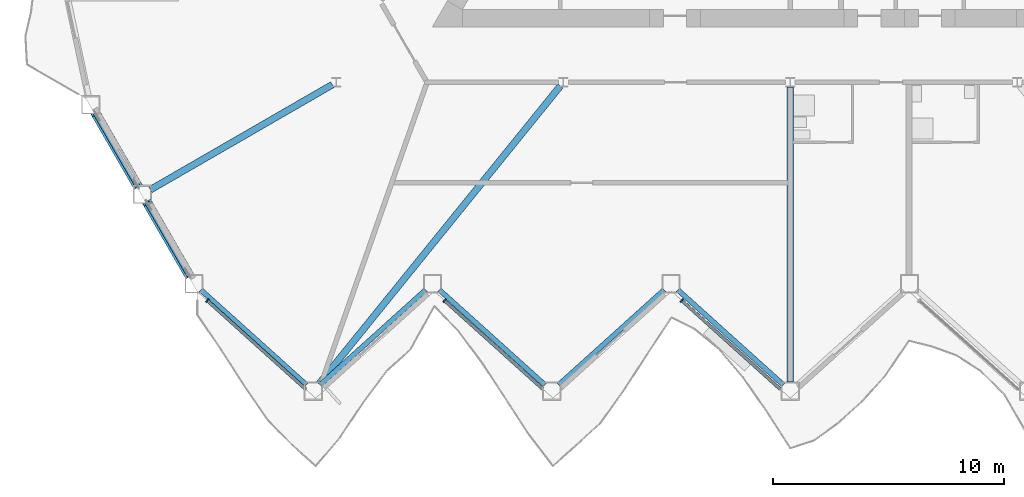
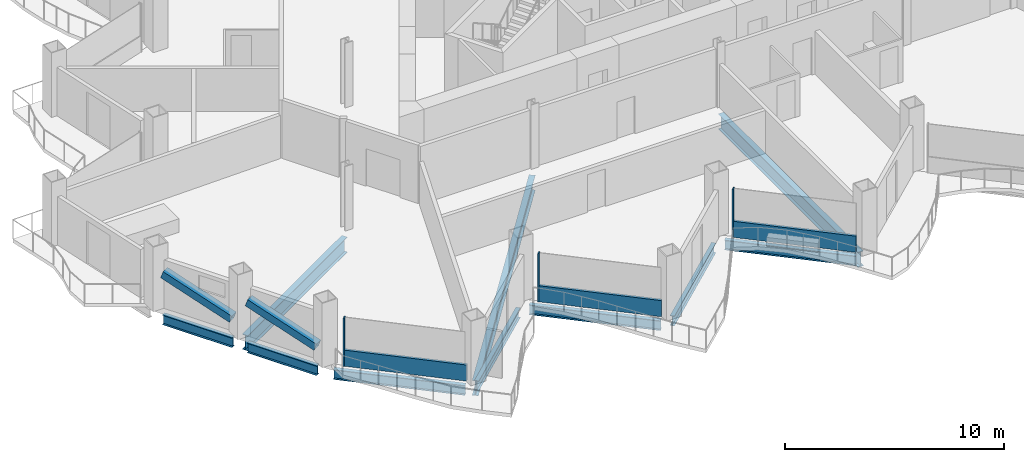
# One storey, part 3 of 22: 10 beams, 8 members, 3 elements without a shape of their own.
"""IFC4 building model written with IfcOpenShell, lengths in metres."""

from ifc_helpers import new_model, si_unit, direction, frame, origin, origin_2d, place, context, subcontext, project, spatial, rectangle, hollow_rectangle, i_section, extrude, material, layer, layer_set, material_profile, profile_set, type_object, element, aggregate, save


model = new_model("IFC4")

# Units and contexts
model_context = context("Model", 3, precision=1e-05, world=origin(), true_north=direction((0.0, 1.0)))
body_context = subcontext(model_context, "Body", "Model", "MODEL_VIEW")
ifc_project = project(units=[si_unit("LENGTHUNIT", "METRE"), si_unit("AREAUNIT", "SQUARE_METRE"), si_unit("VOLUMEUNIT", "CUBIC_METRE"), si_unit("PLANEANGLEUNIT", "RADIAN"), si_unit("MASSUNIT", "GRAM", prefix="KILO")], contexts=[model_context])

# Site, building, storey
site_placement = place(None, origin())
site = spatial("IfcSite", under=ifc_project, at=site_placement, CompositionType="ELEMENT")
building_placement = place(site_placement, origin())
building = spatial("IfcBuilding", under=site, at=building_placement, Name="Cormorant Prow Tower", CompositionType="ELEMENT")
storey_placement = place(building_placement, frame((0.0, 0.0, 198.0)))
storey = spatial("IfcBuildingStorey", under=building, at=storey_placement, Name="L43", CompositionType="ELEMENT", Elevation=198.0)

# Members
ifc_material_1 = material(Name="Structural steel ASTM A500 Gr C", Category="steel")
ifc_material_profile_1 = material_profile(ifc_material_1, hollow_rectangle(XDim=0.406494140625, YDim=0.406494140625, WallThickness=0.01171875, at=origin_2d()), Name="HSS16x16x1/2")
ifc_profile_set_1 = profile_set([ifc_material_profile_1], Name="Structural steel ASTM A500 Gr C")
member_type_1 = type_object("IfcMemberType", Name="Chamfer brace HSS16x16x1/2", PredefinedType="BRACE", material=ifc_profile_set_1)
member_1_placement = place(storey_placement, frame((-28.267333984375, -15.838623046875, 0.739990234375), z_axis=(-0.473983276796, 0.820989698857, 0.31830137871), x_axis=(-0.866032413668, -0.499987858329, 0.0)))
element("IfcMember", 1, at=member_1_placement, inside=storey, type_object=member_type_1, Name="Chamfer brace BR2 at WSW00 L43", PredefinedType="BRACE", context=body_context, shape_type="SweptSolid", body=[
    extrude(hollow_rectangle(XDim=0.406494140625, YDim=0.406494140625, WallThickness=0.01171875, at=origin_2d()), origin(), (0.0, 0.0, 1.0), 3.8359375),
])
member_2_placement = place(storey_placement, frame((-26.0322265625, -19.7099609375, 0.739990234375), z_axis=(-0.47400804529, 0.820968949664, 0.318318011883), x_axis=(-0.866015628144, -0.500016931523, 0.0)))
element("IfcMember", 2, at=member_2_placement, inside=storey, type_object=member_type_1, Name="Chamfer brace BR2 at WSW01 L43", PredefinedType="BRACE", context=body_context, shape_type="SweptSolid", body=[
    extrude(hollow_rectangle(XDim=0.406494140625, YDim=0.406494140625, WallThickness=0.01171875, at=origin_2d()), origin(), (0.0, 0.0, 1.0), 3.835693359375),
])

# Curtain wall, member
ifc_material_2 = material(Name="Aluminium 6063-T6", Category="aluminium")
ifc_layer = layer(ifc_material_2, 0.179931640625)
ifc_layer_set = layer_set([ifc_layer], Name="Aluminium 6063-T6")
curtain_wall_type = type_object("IfcCurtainWallType", Name="Hotel unitised curtain wall 180", PredefinedType="NOTDEFINED", material=ifc_layer_set)
curtain_wall_1_placement = place(storey_placement, origin())
curtain_wall_1 = element("IfcCurtainWall", 3, at=curtain_wall_1_placement, inside=storey, type_object=curtain_wall_type, Name="Hotel curtain wall S00", PredefinedType="NOTDEFINED")
ifc_material_3 = material(Name="Aluminium 6063-T6", Category="aluminium")
ifc_material_profile_2 = material_profile(ifc_material_3, rectangle(XDim=0.179931640625, YDim=0.06005859375, at=origin_2d()), Name="Hotel mullion 60x180")
ifc_profile_set_2 = profile_set([ifc_material_profile_2], Name="Aluminium 6063-T6")
member_type_2 = type_object("IfcMemberType", Name="Hotel mullion 60x180", PredefinedType="MULLION", material=ifc_profile_set_2)
member_3_placement = place(storey_placement, frame((-25.248291015625, -20.799072265625, 0.0), z_axis=(0.0, 0.0, 1.0), x_axis=(0.66913059916, 0.743144831959, 0.0)))
member_3 = element("IfcMember", 4, at=member_3_placement, type_object=member_type_2, Name="Hotel mullion S00", PredefinedType="MULLION", context=body_context, shape_type="SweptSolid", body=[
    extrude(rectangle(XDim=0.179931640625, YDim=0.06005859375, at=origin_2d()), origin(), (0.0, 0.0, 1.0), 2.700927734375),
])

curtain_wall_2_placement = place(storey_placement, origin())
curtain_wall_2 = element("IfcCurtainWall", 5, at=curtain_wall_2_placement, inside=storey, type_object=curtain_wall_type, Name="Hotel curtain wall S02", PredefinedType="NOTDEFINED")
member_4_placement = place(storey_placement, frame((-14.97119140625, -20.799072265625, 0.0), z_axis=(0.0, 0.0, 1.0), x_axis=(0.66913059916, 0.743144831959, 0.0)))
member_4 = element("IfcMember", 6, at=member_4_placement, type_object=member_type_2, Name="Hotel mullion S02", PredefinedType="MULLION", context=body_context, shape_type="SweptSolid", body=[
    extrude(rectangle(XDim=0.179931640625, YDim=0.06005859375, at=origin_2d()), origin(), (0.0, 0.0, 1.0), 2.700927734375),
])

curtain_wall_3_placement = place(storey_placement, origin())
curtain_wall_3 = element("IfcCurtainWall", 7, at=curtain_wall_3_placement, inside=storey, type_object=curtain_wall_type, Name="Hotel curtain wall S04", PredefinedType="NOTDEFINED")
member_5_placement = place(storey_placement, frame((-4.694091796875, -20.799072265625, 0.0), z_axis=(0.0, 0.0, 1.0), x_axis=(0.66913059916, 0.743144831959, 0.0)))
member_5 = element("IfcMember", 8, at=member_5_placement, type_object=member_type_2, Name="Hotel mullion S04", PredefinedType="MULLION", context=body_context, shape_type="SweptSolid", body=[
    extrude(rectangle(XDim=0.179931640625, YDim=0.06005859375, at=origin_2d()), origin(), (0.0, 0.0, 1.0), 2.700927734375),
])

# Member
ifc_material_4 = material(Name="Terracotta", Category="masonry")
ifc_material_profile_3 = material_profile(ifc_material_4, rectangle(XDim=0.139892578125, YDim=0.89990234375, at=origin_2d()), Name="Hotel terracotta spandrel rail 140x900")
ifc_profile_set_3 = profile_set([ifc_material_profile_3], Name="Terracotta")
member_type_3 = type_object("IfcMemberType", Name="Hotel terracotta spandrel rail 140x900", PredefinedType="USERDEFINED", material=ifc_profile_set_3)
member_6_placement = place(storey_placement, frame((-25.225830078125, -20.819091796875, 0.449951171875), z_axis=(0.743130669923, -0.669146327361, 0.0), x_axis=(0.669146327361, 0.743130669923, 0.0)))
member_6 = element("IfcMember", 9, at=member_6_placement, type_object=member_type_3, Name="Hotel spandrel rail S00", ObjectType="TRANSOM", PredefinedType="USERDEFINED", context=body_context, shape_type="SweptSolid", body=[
    extrude(rectangle(XDim=0.139892578125, YDim=0.89990234375, at=origin_2d()), origin(), (0.0, 0.0, 1.0), 5.71875),
])

aggregate(curtain_wall_1, [member_3, member_6])

member_7_placement = place(storey_placement, frame((-14.948974609375, -20.819091796875, 0.449951171875), z_axis=(0.743130669923, -0.669146327361, 0.0), x_axis=(0.669146327361, 0.743130669923, 0.0)))
member_7 = element("IfcMember", 10, at=member_7_placement, type_object=member_type_3, Name="Hotel spandrel rail S02", ObjectType="TRANSOM", PredefinedType="USERDEFINED", context=body_context, shape_type="SweptSolid", body=[
    extrude(rectangle(XDim=0.139892578125, YDim=0.89990234375, at=origin_2d()), origin(), (0.0, 0.0, 1.0), 5.71875),
])

aggregate(curtain_wall_2, [member_4, member_7])

member_8_placement = place(storey_placement, frame((-4.671875, -20.819091796875, 0.449951171875), z_axis=(0.743130669923, -0.669146327361, 0.0), x_axis=(0.669146327361, 0.743130669923, 0.0)))
member_8 = element("IfcMember", 11, at=member_8_placement, type_object=member_type_3, Name="Hotel spandrel rail S04", ObjectType="TRANSOM", PredefinedType="USERDEFINED", context=body_context, shape_type="SweptSolid", body=[
    extrude(rectangle(XDim=0.139892578125, YDim=0.89990234375, at=origin_2d()), origin(), (0.0, 0.0, 1.0), 5.71875),
])

aggregate(curtain_wall_3, [member_5, member_8])

# Beams
ifc_material_5 = material(Name="Structural steel ASTM A992 Gr 50", Category="steel")
ifc_material_profile_4 = material_profile(ifc_material_5, i_section(OverallWidth=0.29296875, OverallDepth=0.845703125, WebThickness=0.015380859375, FlangeThickness=0.0244140625, at=origin_2d()), Name="W33x141")
ifc_profile_set_4 = profile_set([ifc_material_profile_4], Name="Structural steel ASTM A992 Gr 50")
beam_type_1 = type_object("IfcBeamType", Name="Radial floor beam W33x141", PredefinedType="BEAM", material=ifc_profile_set_4)
beam_1_placement = place(storey_placement, frame((-19.833251953125, -11.45068359375, -0.77294921875), z_axis=(-0.866023373109, -0.500003517217, 0.0), x_axis=(0.500003517217, -0.866023373109, 0.0)))
element("IfcBeam", 12, at=beam_1_placement, inside=storey, type_object=beam_type_1, Name="Radial floor beam FB2 5 L43", PredefinedType="BEAM", context=body_context, shape_type="SweptSolid", body=[
    extrude(i_section(OverallWidth=0.29296875, OverallDepth=0.845703125, WebThickness=0.015380859375, FlangeThickness=0.0244140625, at=origin_2d()), origin(), (0.0, 0.0, 1.0), 9.09814453125),
])
beam_2_placement = place(storey_placement, frame((-9.95654296875, -11.50732421875, -0.77294921875), z_axis=(-0.629385162657, -0.777093505974, 0.0), x_axis=(0.777093505974, -0.629385162657, 0.0)))
element("IfcBeam", 13, at=beam_2_placement, inside=storey, type_object=beam_type_1, Name="Radial floor beam FB2 6 L43", PredefinedType="BEAM", context=body_context, shape_type="SweptSolid", body=[
    extrude(i_section(OverallWidth=0.29296875, OverallDepth=0.845703125, WebThickness=0.015380859375, FlangeThickness=0.0244140625, at=origin_2d()), origin(), (0.0, 0.0, 1.0), 16.6044921875),
])
beam_3_placement = place(storey_placement, frame((0.0, -11.552734375, -0.77294921875), z_axis=(0.0, -1.0, 0.0), x_axis=(1.0, 0.0, 0.0)))
element("IfcBeam", 14, at=beam_3_placement, inside=storey, type_object=beam_type_1, Name="Radial floor beam FB2 7 L43", PredefinedType="BEAM", context=body_context, shape_type="SweptSolid", body=[
    extrude(i_section(OverallWidth=0.29296875, OverallDepth=0.845703125, WebThickness=0.015380859375, FlangeThickness=0.0244140625, at=origin_2d()), origin(), (0.0, 0.0, 1.0), 12.768798828125),
])
ifc_material_6 = material(Name="Structural steel ASTM A992 Gr 50", Category="steel")
ifc_material_profile_5 = material_profile(ifc_material_6, i_section(OverallWidth=0.2138671875, OverallDepth=0.549072265625, WebThickness=0.0146484375, FlangeThickness=0.023681640625, at=origin_2d()), Name="W21x93")
ifc_profile_set_5 = profile_set([ifc_material_profile_5], Name="Structural steel ASTM A992 Gr 50")
beam_type_2 = type_object("IfcBeamType", Name="Spandrel beam W21x93", PredefinedType="SPANDREL", material=ifc_profile_set_5)
beam_4_placement = place(storey_placement, frame((-25.5263671875, -20.3388671875, -0.62451171875), z_axis=(0.743155953285, -0.669118247469, 0.0), x_axis=(0.669118247469, 0.743155953285, 0.0)))
element("IfcBeam", 15, at=beam_4_placement, inside=storey, type_object=beam_type_2, Name="Spandrel beam SB2 S00-S01 L43", PredefinedType="SPANDREL", context=body_context, shape_type="SweptSolid", body=[
    extrude(i_section(OverallWidth=0.2138671875, OverallDepth=0.549072265625, WebThickness=0.0146484375, FlangeThickness=0.023681640625, at=origin_2d()), origin(), (0.0, 0.0, 1.0), 6.14990234375),
])
for number, where, z_axis, x_axis, name in (
    (16, (-20.361572265625, -24.453857421875, -0.62451171875), (0.743138178716, 0.669137988261, 0.0), (-0.669137988261, 0.743138178716, 0.0), "Spandrel beam SB2 S01-S02 L43"),
    (17, (-15.19677734375, -20.3388671875, -0.62451171875), (0.743138178716, -0.669137988261, 0.0), (0.669137988261, 0.743138178716, 0.0), "Spandrel beam SB2 S02-S03 L43"),
):
    element("IfcBeam", number, at=place(storey_placement, frame(where, z_axis=z_axis, x_axis=x_axis)), inside=storey, type_object=beam_type_2, Name=name, PredefinedType="SPANDREL", context=body_context, shape_type="SweptSolid", body=[
        extrude(i_section(OverallWidth=0.2138671875, OverallDepth=0.549072265625, WebThickness=0.0146484375, FlangeThickness=0.023681640625, at=origin_2d()), origin(), (0.0, 0.0, 1.0), 6.149658203125),
    ])
beam_5_placement = place(storey_placement, frame((-10.0322265625, -24.453857421875, -0.62451171875), z_axis=(0.743155953285, 0.669118247469, 0.0), x_axis=(-0.669118247469, 0.743155953285, 0.0)))
element("IfcBeam", 18, at=beam_5_placement, inside=storey, type_object=beam_type_2, Name="Spandrel beam SB2 S03-S04 L43", PredefinedType="SPANDREL", context=body_context, shape_type="SweptSolid", body=[
    extrude(i_section(OverallWidth=0.2138671875, OverallDepth=0.549072265625, WebThickness=0.0146484375, FlangeThickness=0.023681640625, at=origin_2d()), origin(), (0.0, 0.0, 1.0), 6.14990234375),
])
beam_6_placement = place(storey_placement, frame((-4.867431640625, -20.3388671875, -0.62451171875), z_axis=(0.743138178716, -0.669137988261, 0.0), x_axis=(0.669137988261, 0.743138178716, 0.0)))
element("IfcBeam", 19, at=beam_6_placement, inside=storey, type_object=beam_type_2, Name="Spandrel beam SB2 S04-S05 L43", PredefinedType="SPANDREL", context=body_context, shape_type="SweptSolid", body=[
    extrude(i_section(OverallWidth=0.2138671875, OverallDepth=0.549072265625, WebThickness=0.0146484375, FlangeThickness=0.023681640625, at=origin_2d()), origin(), (0.0, 0.0, 1.0), 6.149658203125),
])
for number, where, z_axis, x_axis, name in (
    (20, (-30.093994140625, -12.674560546875, -0.62451171875), (0.499994986164, -0.866028298505, 0.0), (0.866028298505, 0.499994986164, 0.0), "Spandrel beam SB2 WSW00-WSW01 L43"),
    (21, (-27.85888671875, -16.546142578125, -0.62451171875), (0.499994986164, -0.866028298505, 0.0), (0.866028298505, 0.499994986164, 0.0), "Spandrel beam SB2 WSW01-S00 L43"),
):
    element("IfcBeam", number, at=place(storey_placement, frame(where, z_axis=z_axis, x_axis=x_axis)), inside=storey, type_object=beam_type_2, Name=name, PredefinedType="SPANDREL", context=body_context, shape_type="SweptSolid", body=[
        extrude(i_section(OverallWidth=0.2138671875, OverallDepth=0.549072265625, WebThickness=0.0146484375, FlangeThickness=0.023681640625, at=origin_2d()), origin(), (0.0, 0.0, 1.0), 3.67041015625),
    ])

save(model, "model.ifc")
